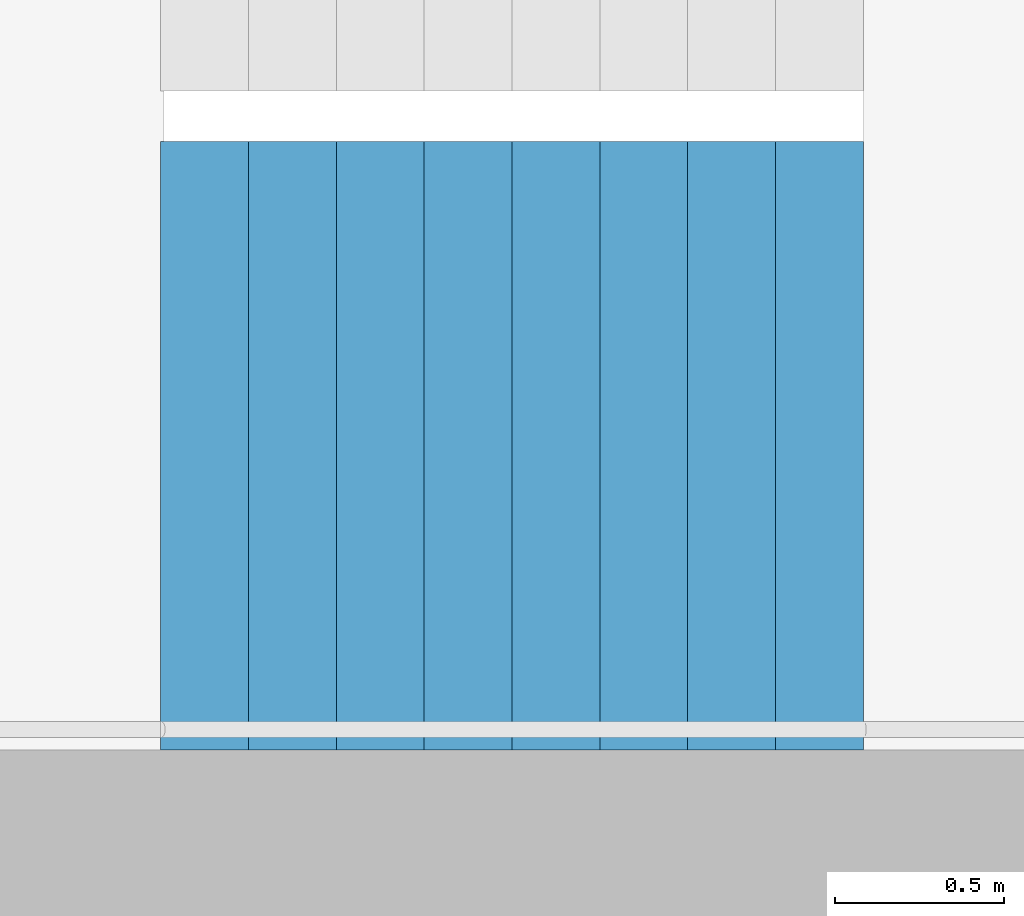
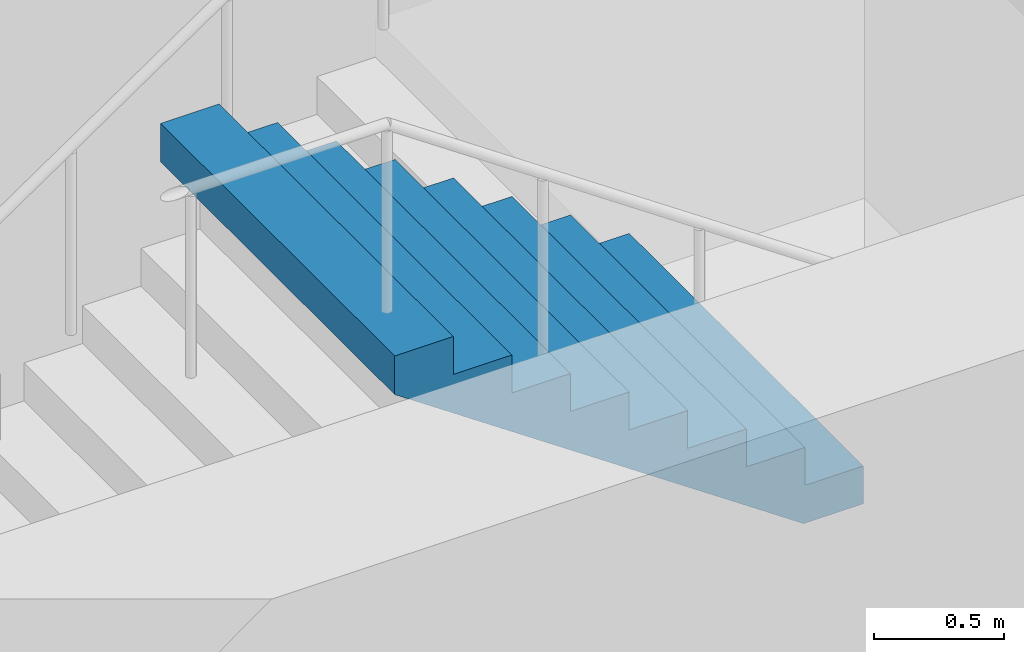
# One storey, part 25 of 29: 1 stair flight, 1 element without a shape of its own.
"""IFC4 building model written with IfcOpenShell, lengths in metres."""

from ifc_helpers import new_model, si_unit, direction, frame, origin, place, context, subcontext, project, spatial, triangles, material, type_object, element, aggregate, save


model = new_model("IFC4")

# Units and contexts
model_context = context("Model", 3, precision=1e-05, world=origin(), true_north=direction((0.0, 1.0)))
body_context = subcontext(model_context, "Body", "Model", "MODEL_VIEW")
ifc_project = project(units=[si_unit("LENGTHUNIT", "METRE"), si_unit("AREAUNIT", "SQUARE_METRE"), si_unit("VOLUMEUNIT", "CUBIC_METRE"), si_unit("PLANEANGLEUNIT", "RADIAN"), si_unit("MASSUNIT", "GRAM", prefix="KILO")], contexts=[model_context])

# Site, building, storey
site_placement = place(None, origin())
site = spatial("IfcSite", under=ifc_project, at=site_placement, CompositionType="ELEMENT")
building_placement = place(site_placement, origin())
building = spatial("IfcBuilding", under=site, at=building_placement, Name="Hakoniwa Tower and Hamabe Station Hall", CompositionType="ELEMENT")
storey_placement = place(building_placement, frame((0.0, 0.0, 29.39990234375)))
storey = spatial("IfcBuildingStorey", under=building, at=storey_placement, Name="L07", CompositionType="ELEMENT", Elevation=29.39990234375)

# Stair, stair flight
ifc_material_1 = material(Name="Concrete C40", Category="concrete")
stair_type = type_object("IfcStairType", Name="ESCAPE STAIR 1800", PredefinedType="HALF_TURN_STAIR", material=ifc_material_1)
stair_placement = place(storey_placement, origin())
stair = element("IfcStair", 1, at=stair_placement, inside=storey, type_object=stair_type, Name="Escape stair ST-4 L07", PredefinedType="HALF_TURN_STAIR")
ifc_material_2 = material(Name="Concrete C40", Category="concrete")
stair_flight_type = type_object("IfcStairFlightType", Name="STAIR FLIGHT 1800", PredefinedType="STRAIGHT", material=ifc_material_2)
stair_flight_placement = place(storey_placement, frame((25.47998046875, -6.60009765625, 1.60009765625), z_axis=(0.0, 0.0, 1.0), x_axis=(-1.0, 0.0, 0.0)))
stair_flight = element("IfcStairFlight", 2, at=stair_flight_placement, type_object=stair_flight_type, Name="ST-4 flight 2", NumberOfRisers=9, NumberOfTreads=8, PredefinedType="STRAIGHT", RiserHeight=0.177777778, TreadLength=0.26, context=body_context, shape_type="Tessellation", body=[
    triangles([(0.0, 0.89990234375, 0.0), (0.260009765625, 0.89990234375, 0.0), (0.265625, 0.89990234375, 0.0), (0.52001953125, 0.89990234375, 0.174072265625), (0.780029296875, 0.89990234375, 0.351806640625), (1.0400390625, 0.89990234375, 0.529541015625), (1.300048828125, 0.89990234375, 0.707275390625), (1.56005859375, 0.89990234375, 0.885009765625), (1.820068359375, 0.89990234375, 1.062744140625), (2.080078125, 0.89990234375, 1.24072265625), (2.080078125, 0.89990234375, 1.422119140625), (1.820068359375, 0.89990234375, 1.422119140625), (1.820068359375, 0.89990234375, 1.244384765625), (1.56005859375, 0.89990234375, 1.244384765625), (1.56005859375, 0.89990234375, 1.066650390625), (1.300048828125, 0.89990234375, 1.066650390625), (1.300048828125, 0.89990234375, 0.888916015625), (1.0400390625, 0.89990234375, 0.888916015625), (1.0400390625, 0.89990234375, 0.711181640625), (0.780029296875, 0.89990234375, 0.711181640625), (0.780029296875, 0.89990234375, 0.533447265625), (0.52001953125, 0.89990234375, 0.533447265625), (0.52001953125, 0.89990234375, 0.35546875), (0.265625, 0.89990234375, 0.35546875), (0.260009765625, 0.89990234375, 0.35546875), (0.260009765625, 0.89990234375, 0.177734375), (0.0, 0.89990234375, 0.177734375), (0.0, 0.06005859375, 0.0), (0.260009765625, 0.06005859375, 0.0), (0.265625, 0.06005859375, 0.0), (0.52001953125, 0.06005859375, 0.174072265625), (0.780029296875, 0.06005859375, 0.351806640625), (1.0400390625, 0.06005859375, 0.529541015625), (1.300048828125, 0.06005859375, 0.707275390625), (1.56005859375, 0.06005859375, 0.885009765625), (1.820068359375, 0.06005859375, 1.062744140625), (2.080078125, 0.06005859375, 1.24072265625), (2.080078125, 0.06005859375, 1.422119140625), (1.820068359375, 0.06005859375, 1.422119140625), (1.820068359375, 0.06005859375, 1.244384765625), (1.56005859375, 0.06005859375, 1.244384765625), (1.56005859375, 0.06005859375, 1.066650390625), (1.300048828125, 0.06005859375, 1.066650390625), (1.300048828125, 0.06005859375, 0.888916015625), (1.0400390625, 0.06005859375, 0.888916015625), (1.0400390625, 0.06005859375, 0.711181640625), (0.780029296875, 0.06005859375, 0.711181640625), (0.780029296875, 0.06005859375, 0.533447265625), (0.52001953125, 0.06005859375, 0.533447265625), (0.52001953125, 0.06005859375, 0.35546875), (0.265625, 0.06005859375, 0.35546875), (0.260009765625, 0.06005859375, 0.35546875), (0.260009765625, 0.06005859375, 0.177734375), (0.0, 0.06005859375, 0.177734375), (0.0, 0.04296875, 0.0), (0.260009765625, 0.04296875, 0.0), (0.265625, 0.04296875, 0.0), (0.52001953125, 0.04296875, 0.174072265625), (0.780029296875, 0.04296875, 0.351806640625), (1.0400390625, 0.04296875, 0.529541015625), (1.300048828125, 0.04296875, 0.707275390625), (1.56005859375, 0.04296875, 0.885009765625), (1.820068359375, 0.04296875, 1.062744140625), (2.080078125, 0.04296875, 1.24072265625), (2.080078125, 0.04296875, 1.422119140625), (1.820068359375, 0.04296875, 1.422119140625), (1.820068359375, 0.04296875, 1.244384765625), (1.56005859375, 0.04296875, 1.244384765625), (1.56005859375, 0.04296875, 1.066650390625), (1.300048828125, 0.04296875, 1.066650390625), (1.300048828125, 0.04296875, 0.888916015625), (1.0400390625, 0.04296875, 0.888916015625), (1.0400390625, 0.04296875, 0.711181640625), (0.780029296875, 0.04296875, 0.711181640625), (0.780029296875, 0.04296875, 0.533447265625), (0.52001953125, 0.04296875, 0.533447265625), (0.52001953125, 0.04296875, 0.35546875), (0.265625, 0.04296875, 0.35546875), (0.260009765625, 0.04296875, 0.35546875), (0.260009765625, 0.04296875, 0.177734375), (0.0, 0.04296875, 0.177734375), (0.0, 0.025634765625, 0.0), (0.260009765625, 0.025634765625, 0.0), (0.265625, 0.025634765625, 0.0), (0.52001953125, 0.025634765625, 0.174072265625), (0.780029296875, 0.025634765625, 0.351806640625), (1.0400390625, 0.025634765625, 0.529541015625), (1.300048828125, 0.025634765625, 0.707275390625), (1.56005859375, 0.025634765625, 0.885009765625), (1.820068359375, 0.025634765625, 1.062744140625), (2.080078125, 0.025634765625, 1.24072265625), (2.080078125, 0.025634765625, 1.422119140625), (1.820068359375, 0.025634765625, 1.422119140625), (1.820068359375, 0.025634765625, 1.244384765625), (1.56005859375, 0.025634765625, 1.244384765625), (1.56005859375, 0.025634765625, 1.066650390625), (1.300048828125, 0.025634765625, 1.066650390625), (1.300048828125, 0.025634765625, 0.888916015625), (1.0400390625, 0.025634765625, 0.888916015625), (1.0400390625, 0.025634765625, 0.711181640625), (0.780029296875, 0.025634765625, 0.711181640625), (0.780029296875, 0.025634765625, 0.533447265625), (0.52001953125, 0.025634765625, 0.533447265625), (0.52001953125, 0.025634765625, 0.35546875), (0.265625, 0.025634765625, 0.35546875), (0.260009765625, 0.025634765625, 0.35546875), (0.260009765625, 0.025634765625, 0.177734375), (0.0, 0.025634765625, 0.177734375), (0.0, 0.008544921875, 0.0), (0.260009765625, 0.008544921875, 0.0), (0.265625, 0.008544921875, 0.0), (0.52001953125, 0.008544921875, 0.174072265625), (0.780029296875, 0.008544921875, 0.351806640625), (1.0400390625, 0.008544921875, 0.529541015625), (1.300048828125, 0.008544921875, 0.707275390625), (1.56005859375, 0.008544921875, 0.885009765625), (1.820068359375, 0.008544921875, 1.062744140625), (2.080078125, 0.008544921875, 1.24072265625), (2.080078125, 0.008544921875, 1.422119140625), (1.820068359375, 0.008544921875, 1.422119140625), (1.820068359375, 0.008544921875, 1.244384765625), (1.56005859375, 0.008544921875, 1.244384765625), (1.56005859375, 0.008544921875, 1.066650390625), (1.300048828125, 0.008544921875, 1.066650390625), (1.300048828125, 0.008544921875, 0.888916015625), (1.0400390625, 0.008544921875, 0.888916015625), (1.0400390625, 0.008544921875, 0.711181640625), (0.780029296875, 0.008544921875, 0.711181640625), (0.780029296875, 0.008544921875, 0.533447265625), (0.52001953125, 0.008544921875, 0.533447265625), (0.52001953125, 0.008544921875, 0.35546875), (0.265625, 0.008544921875, 0.35546875), (0.260009765625, 0.008544921875, 0.35546875), (0.260009765625, 0.008544921875, 0.177734375), (0.0, 0.008544921875, 0.177734375), (0.0, -0.008544921875, 0.0), (0.260009765625, -0.008544921875, 0.0), (0.265625, -0.008544921875, 0.0), (0.52001953125, -0.008544921875, 0.174072265625), (0.780029296875, -0.008544921875, 0.351806640625), (1.0400390625, -0.008544921875, 0.529541015625), (1.300048828125, -0.008544921875, 0.707275390625), (1.56005859375, -0.008544921875, 0.885009765625), (1.820068359375, -0.008544921875, 1.062744140625), (2.080078125, -0.008544921875, 1.24072265625), (2.080078125, -0.008544921875, 1.422119140625), (1.820068359375, -0.008544921875, 1.422119140625), (1.820068359375, -0.008544921875, 1.244384765625), (1.56005859375, -0.008544921875, 1.244384765625), (1.56005859375, -0.008544921875, 1.066650390625), (1.300048828125, -0.008544921875, 1.066650390625), (1.300048828125, -0.008544921875, 0.888916015625), (1.0400390625, -0.008544921875, 0.888916015625), (1.0400390625, -0.008544921875, 0.711181640625), (0.780029296875, -0.008544921875, 0.711181640625), (0.780029296875, -0.008544921875, 0.533447265625), (0.52001953125, -0.008544921875, 0.533447265625), (0.52001953125, -0.008544921875, 0.35546875), (0.265625, -0.008544921875, 0.35546875), (0.260009765625, -0.008544921875, 0.35546875), (0.260009765625, -0.008544921875, 0.177734375), (0.0, -0.008544921875, 0.177734375), (0.0, -0.025634765625, 0.0), (0.260009765625, -0.025634765625, 0.0), (0.265625, -0.025634765625, 0.0), (0.52001953125, -0.025634765625, 0.174072265625), (0.780029296875, -0.025634765625, 0.351806640625), (1.0400390625, -0.025634765625, 0.529541015625), (1.300048828125, -0.025634765625, 0.707275390625), (1.56005859375, -0.025634765625, 0.885009765625), (1.820068359375, -0.025634765625, 1.062744140625), (2.080078125, -0.025634765625, 1.24072265625), (2.080078125, -0.025634765625, 1.422119140625), (1.820068359375, -0.025634765625, 1.422119140625), (1.820068359375, -0.025634765625, 1.244384765625), (1.56005859375, -0.025634765625, 1.244384765625), (1.56005859375, -0.025634765625, 1.066650390625), (1.300048828125, -0.025634765625, 1.066650390625), (1.300048828125, -0.025634765625, 0.888916015625), (1.0400390625, -0.025634765625, 0.888916015625), (1.0400390625, -0.025634765625, 0.711181640625), (0.780029296875, -0.025634765625, 0.711181640625), (0.780029296875, -0.025634765625, 0.533447265625), (0.52001953125, -0.025634765625, 0.533447265625), (0.52001953125, -0.025634765625, 0.35546875), (0.265625, -0.025634765625, 0.35546875), (0.260009765625, -0.025634765625, 0.35546875), (0.260009765625, -0.025634765625, 0.177734375), (0.0, -0.025634765625, 0.177734375), (0.0, -0.04296875, 0.0), (0.260009765625, -0.04296875, 0.0), (0.265625, -0.04296875, 0.0), (0.52001953125, -0.04296875, 0.174072265625), (0.780029296875, -0.04296875, 0.351806640625), (1.0400390625, -0.04296875, 0.529541015625), (1.300048828125, -0.04296875, 0.707275390625), (1.56005859375, -0.04296875, 0.885009765625), (1.820068359375, -0.04296875, 1.062744140625), (2.080078125, -0.04296875, 1.24072265625), (2.080078125, -0.04296875, 1.422119140625), (1.820068359375, -0.04296875, 1.422119140625), (1.820068359375, -0.04296875, 1.244384765625), (1.56005859375, -0.04296875, 1.244384765625), (1.56005859375, -0.04296875, 1.066650390625), (1.300048828125, -0.04296875, 1.066650390625), (1.300048828125, -0.04296875, 0.888916015625), (1.0400390625, -0.04296875, 0.888916015625), (1.0400390625, -0.04296875, 0.711181640625), (0.780029296875, -0.04296875, 0.711181640625), (0.780029296875, -0.04296875, 0.533447265625), (0.52001953125, -0.04296875, 0.533447265625), (0.52001953125, -0.04296875, 0.35546875), (0.265625, -0.04296875, 0.35546875), (0.260009765625, -0.04296875, 0.35546875), (0.260009765625, -0.04296875, 0.177734375), (0.0, -0.04296875, 0.177734375), (0.0, -0.06005859375, 0.0), (0.260009765625, -0.06005859375, 0.0), (0.265625, -0.06005859375, 0.0), (0.52001953125, -0.06005859375, 0.174072265625), (0.780029296875, -0.06005859375, 0.351806640625), (1.0400390625, -0.06005859375, 0.529541015625), (1.300048828125, -0.06005859375, 0.707275390625), (1.56005859375, -0.06005859375, 0.885009765625), (1.820068359375, -0.06005859375, 1.062744140625), (2.080078125, -0.06005859375, 1.24072265625), (2.080078125, -0.06005859375, 1.422119140625), (1.820068359375, -0.06005859375, 1.422119140625), (1.820068359375, -0.06005859375, 1.244384765625), (1.56005859375, -0.06005859375, 1.244384765625), (1.56005859375, -0.06005859375, 1.066650390625), (1.300048828125, -0.06005859375, 1.066650390625), (1.300048828125, -0.06005859375, 0.888916015625), (1.0400390625, -0.06005859375, 0.888916015625), (1.0400390625, -0.06005859375, 0.711181640625), (0.780029296875, -0.06005859375, 0.711181640625), (0.780029296875, -0.06005859375, 0.533447265625), (0.52001953125, -0.06005859375, 0.533447265625), (0.52001953125, -0.06005859375, 0.35546875), (0.265625, -0.06005859375, 0.35546875), (0.260009765625, -0.06005859375, 0.35546875), (0.260009765625, -0.06005859375, 0.177734375), (0.0, -0.06005859375, 0.177734375), (0.0, -0.89990234375, 0.0), (0.260009765625, -0.89990234375, 0.0), (0.265625, -0.89990234375, 0.0), (0.52001953125, -0.89990234375, 0.174072265625), (0.780029296875, -0.89990234375, 0.351806640625), (1.0400390625, -0.89990234375, 0.529541015625), (1.300048828125, -0.89990234375, 0.707275390625), (1.56005859375, -0.89990234375, 0.885009765625), (1.820068359375, -0.89990234375, 1.062744140625), (2.080078125, -0.89990234375, 1.24072265625), (2.080078125, -0.89990234375, 1.422119140625), (1.820068359375, -0.89990234375, 1.422119140625), (1.820068359375, -0.89990234375, 1.244384765625), (1.56005859375, -0.89990234375, 1.244384765625), (1.56005859375, -0.89990234375, 1.066650390625), (1.300048828125, -0.89990234375, 1.066650390625), (1.300048828125, -0.89990234375, 0.888916015625), (1.0400390625, -0.89990234375, 0.888916015625), (1.0400390625, -0.89990234375, 0.711181640625), (0.780029296875, -0.89990234375, 0.711181640625), (0.780029296875, -0.89990234375, 0.533447265625), (0.52001953125, -0.89990234375, 0.533447265625), (0.52001953125, -0.89990234375, 0.35546875), (0.265625, -0.89990234375, 0.35546875), (0.260009765625, -0.89990234375, 0.35546875), (0.260009765625, -0.89990234375, 0.177734375), (0.0, -0.89990234375, 0.177734375)], [[2, 27, 26], [245, 269, 270], [2, 1, 27], [245, 270, 244], [3, 25, 24], [246, 267, 268], [3, 26, 25], [246, 268, 269], [3, 2, 26], [246, 269, 245], [4, 24, 23], [247, 266, 267], [4, 3, 24], [247, 267, 246], [5, 22, 21], [248, 264, 265], [5, 23, 22], [248, 265, 266], [5, 4, 23], [248, 266, 247], [6, 20, 19], [249, 262, 263], [6, 21, 20], [249, 263, 264], [6, 5, 21], [249, 264, 248], [7, 18, 17], [250, 260, 261], [7, 19, 18], [250, 261, 262], [7, 6, 19], [250, 262, 249], [8, 16, 15], [251, 258, 259], [8, 17, 16], [251, 259, 260], [8, 7, 17], [251, 260, 250], [9, 14, 13], [252, 256, 257], [9, 15, 14], [252, 257, 258], [9, 8, 15], [252, 258, 251], [10, 12, 11], [253, 254, 255], [10, 13, 12], [253, 255, 256], [10, 9, 13], [253, 256, 252], [1, 2, 29], [1, 29, 28], [28, 29, 56], [28, 56, 55], [55, 56, 83], [55, 83, 82], [82, 83, 110], [82, 110, 109], [109, 110, 137], [109, 137, 136], [136, 137, 164], [136, 164, 163], [163, 164, 191], [163, 191, 190], [190, 191, 218], [190, 218, 217], [217, 218, 245], [217, 245, 244], [2, 3, 30], [2, 30, 29], [29, 30, 57], [29, 57, 56], [56, 57, 84], [56, 84, 83], [83, 84, 111], [83, 111, 110], [110, 111, 138], [110, 138, 137], [137, 138, 165], [137, 165, 164], [164, 165, 192], [164, 192, 191], [191, 192, 219], [191, 219, 218], [218, 219, 246], [218, 246, 245], [3, 4, 31], [3, 31, 30], [30, 31, 58], [30, 58, 57], [57, 58, 85], [57, 85, 84], [84, 85, 112], [84, 112, 111], [111, 112, 139], [111, 139, 138], [138, 139, 166], [138, 166, 165], [165, 166, 193], [165, 193, 192], [192, 193, 220], [192, 220, 219], [219, 220, 247], [219, 247, 246], [4, 5, 32], [4, 32, 31], [31, 32, 59], [31, 59, 58], [58, 59, 86], [58, 86, 85], [85, 86, 113], [85, 113, 112], [112, 113, 140], [112, 140, 139], [139, 140, 167], [139, 167, 166], [166, 167, 194], [166, 194, 193], [193, 194, 221], [193, 221, 220], [220, 221, 248], [220, 248, 247], [5, 6, 33], [5, 33, 32], [32, 33, 60], [32, 60, 59], [59, 60, 87], [59, 87, 86], [86, 87, 114], [86, 114, 113], [113, 114, 141], [113, 141, 140], [140, 141, 168], [140, 168, 167], [167, 168, 195], [167, 195, 194], [194, 195, 222], [194, 222, 221], [221, 222, 249], [221, 249, 248], [6, 7, 34], [6, 34, 33], [33, 34, 61], [33, 61, 60], [60, 61, 88], [60, 88, 87], [87, 88, 115], [87, 115, 114], [114, 115, 142], [114, 142, 141], [141, 142, 169], [141, 169, 168], [168, 169, 196], [168, 196, 195], [195, 196, 223], [195, 223, 222], [222, 223, 250], [222, 250, 249], [7, 8, 35], [7, 35, 34], [34, 35, 62], [34, 62, 61], [61, 62, 89], [61, 89, 88], [88, 89, 116], [88, 116, 115], [115, 116, 143], [115, 143, 142], [142, 143, 170], [142, 170, 169], [169, 170, 197], [169, 197, 196], [196, 197, 224], [196, 224, 223], [223, 224, 251], [223, 251, 250], [8, 9, 36], [8, 36, 35], [35, 36, 63], [35, 63, 62], [62, 63, 90], [62, 90, 89], [89, 90, 117], [89, 117, 116], [116, 117, 144], [116, 144, 143], [143, 144, 171], [143, 171, 170], [170, 171, 198], [170, 198, 197], [197, 198, 225], [197, 225, 224], [224, 225, 252], [224, 252, 251], [9, 10, 37], [9, 37, 36], [36, 37, 64], [36, 64, 63], [63, 64, 91], [63, 91, 90], [90, 91, 118], [90, 118, 117], [117, 118, 145], [117, 145, 144], [144, 145, 172], [144, 172, 171], [171, 172, 199], [171, 199, 198], [198, 199, 226], [198, 226, 225], [225, 226, 253], [225, 253, 252], [10, 11, 38], [10, 38, 37], [37, 38, 65], [37, 65, 64], [64, 65, 92], [64, 92, 91], [91, 92, 119], [91, 119, 118], [118, 119, 146], [118, 146, 145], [145, 146, 173], [145, 173, 172], [172, 173, 200], [172, 200, 199], [199, 200, 227], [199, 227, 226], [226, 227, 254], [226, 254, 253], [11, 12, 39], [11, 39, 38], [38, 39, 66], [38, 66, 65], [65, 66, 93], [65, 93, 92], [92, 93, 120], [92, 120, 119], [119, 120, 147], [119, 147, 146], [146, 147, 174], [146, 174, 173], [173, 174, 201], [173, 201, 200], [200, 201, 228], [200, 228, 227], [227, 228, 255], [227, 255, 254], [12, 13, 40], [12, 40, 39], [39, 40, 67], [39, 67, 66], [66, 67, 94], [66, 94, 93], [93, 94, 121], [93, 121, 120], [120, 121, 148], [120, 148, 147], [147, 148, 175], [147, 175, 174], [174, 175, 202], [174, 202, 201], [201, 202, 229], [201, 229, 228], [228, 229, 256], [228, 256, 255], [13, 14, 41], [13, 41, 40], [40, 41, 68], [40, 68, 67], [67, 68, 95], [67, 95, 94], [94, 95, 122], [94, 122, 121], [121, 122, 149], [121, 149, 148], [148, 149, 176], [148, 176, 175], [175, 176, 203], [175, 203, 202], [202, 203, 230], [202, 230, 229], [229, 230, 257], [229, 257, 256], [14, 15, 42], [14, 42, 41], [41, 42, 69], [41, 69, 68], [68, 69, 96], [68, 96, 95], [95, 96, 123], [95, 123, 122], [122, 123, 150], [122, 150, 149], [149, 150, 177], [149, 177, 176], [176, 177, 204], [176, 204, 203], [203, 204, 231], [203, 231, 230], [230, 231, 258], [230, 258, 257], [15, 16, 43], [15, 43, 42], [42, 43, 70], [42, 70, 69], [69, 70, 97], [69, 97, 96], [96, 97, 124], [96, 124, 123], [123, 124, 151], [123, 151, 150], [150, 151, 178], [150, 178, 177], [177, 178, 205], [177, 205, 204], [204, 205, 232], [204, 232, 231], [231, 232, 259], [231, 259, 258], [16, 17, 44], [16, 44, 43], [43, 44, 71], [43, 71, 70], [70, 71, 98], [70, 98, 97], [97, 98, 125], [97, 125, 124], [124, 125, 152], [124, 152, 151], [151, 152, 179], [151, 179, 178], [178, 179, 206], [178, 206, 205], [205, 206, 233], [205, 233, 232], [232, 233, 260], [232, 260, 259], [17, 18, 45], [17, 45, 44], [44, 45, 72], [44, 72, 71], [71, 72, 99], [71, 99, 98], [98, 99, 126], [98, 126, 125], [125, 126, 153], [125, 153, 152], [152, 153, 180], [152, 180, 179], [179, 180, 207], [179, 207, 206], [206, 207, 234], [206, 234, 233], [233, 234, 261], [233, 261, 260], [18, 19, 46], [18, 46, 45], [45, 46, 73], [45, 73, 72], [72, 73, 100], [72, 100, 99], [99, 100, 127], [99, 127, 126], [126, 127, 154], [126, 154, 153], [153, 154, 181], [153, 181, 180], [180, 181, 208], [180, 208, 207], [207, 208, 235], [207, 235, 234], [234, 235, 262], [234, 262, 261], [19, 20, 47], [19, 47, 46], [46, 47, 74], [46, 74, 73], [73, 74, 101], [73, 101, 100], [100, 101, 128], [100, 128, 127], [127, 128, 155], [127, 155, 154], [154, 155, 182], [154, 182, 181], [181, 182, 209], [181, 209, 208], [208, 209, 236], [208, 236, 235], [235, 236, 263], [235, 263, 262], [20, 21, 48], [20, 48, 47], [47, 48, 75], [47, 75, 74], [74, 75, 102], [74, 102, 101], [101, 102, 129], [101, 129, 128], [128, 129, 156], [128, 156, 155], [155, 156, 183], [155, 183, 182], [182, 183, 210], [182, 210, 209], [209, 210, 237], [209, 237, 236], [236, 237, 264], [236, 264, 263], [21, 22, 49], [21, 49, 48], [48, 49, 76], [48, 76, 75], [75, 76, 103], [75, 103, 102], [102, 103, 130], [102, 130, 129], [129, 130, 157], [129, 157, 156], [156, 157, 184], [156, 184, 183], [183, 184, 211], [183, 211, 210], [210, 211, 238], [210, 238, 237], [237, 238, 265], [237, 265, 264], [22, 23, 50], [22, 50, 49], [49, 50, 77], [49, 77, 76], [76, 77, 104], [76, 104, 103], [103, 104, 131], [103, 131, 130], [130, 131, 158], [130, 158, 157], [157, 158, 185], [157, 185, 184], [184, 185, 212], [184, 212, 211], [211, 212, 239], [211, 239, 238], [238, 239, 266], [238, 266, 265], [23, 24, 51], [23, 51, 50], [50, 51, 78], [50, 78, 77], [77, 78, 105], [77, 105, 104], [104, 105, 132], [104, 132, 131], [131, 132, 159], [131, 159, 158], [158, 159, 186], [158, 186, 185], [185, 186, 213], [185, 213, 212], [212, 213, 240], [212, 240, 239], [239, 240, 267], [239, 267, 266], [24, 25, 52], [24, 52, 51], [51, 52, 79], [51, 79, 78], [78, 79, 106], [78, 106, 105], [105, 106, 133], [105, 133, 132], [132, 133, 160], [132, 160, 159], [159, 160, 187], [159, 187, 186], [186, 187, 214], [186, 214, 213], [213, 214, 241], [213, 241, 240], [240, 241, 268], [240, 268, 267], [25, 26, 53], [25, 53, 52], [52, 53, 80], [52, 80, 79], [79, 80, 107], [79, 107, 106], [106, 107, 134], [106, 134, 133], [133, 134, 161], [133, 161, 160], [160, 161, 188], [160, 188, 187], [187, 188, 215], [187, 215, 214], [214, 215, 242], [214, 242, 241], [241, 242, 269], [241, 269, 268], [26, 27, 54], [26, 54, 53], [53, 54, 81], [53, 81, 80], [80, 81, 108], [80, 108, 107], [107, 108, 135], [107, 135, 134], [134, 135, 162], [134, 162, 161], [161, 162, 189], [161, 189, 188], [188, 189, 216], [188, 216, 215], [215, 216, 243], [215, 243, 242], [242, 243, 270], [242, 270, 269], [27, 1, 28], [27, 28, 54], [54, 28, 55], [54, 55, 81], [81, 55, 82], [81, 82, 108], [108, 82, 109], [108, 109, 135], [135, 109, 136], [135, 136, 162], [162, 136, 163], [162, 163, 189], [189, 163, 190], [189, 190, 216], [216, 190, 217], [216, 217, 243], [243, 217, 244], [243, 244, 270]], closed=True),
])
aggregate(stair, [stair_flight])

save(model, "model.ifc")
